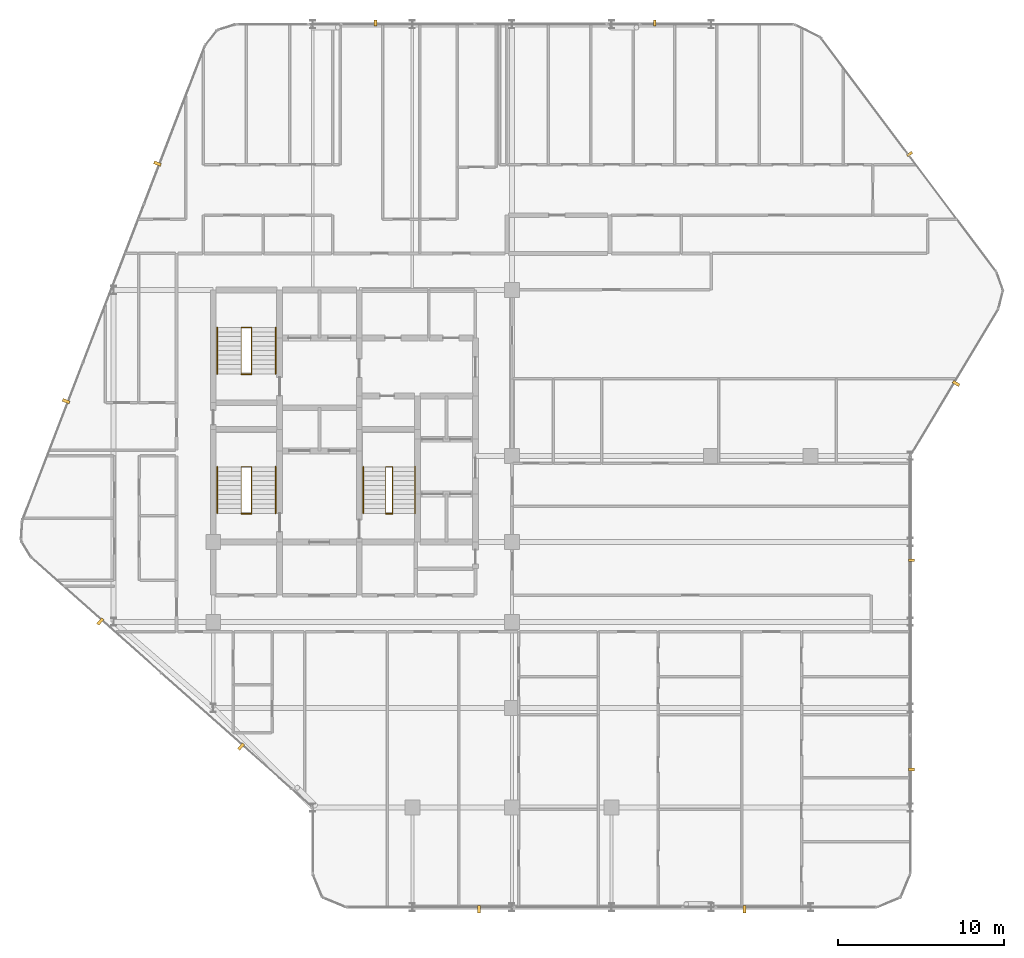
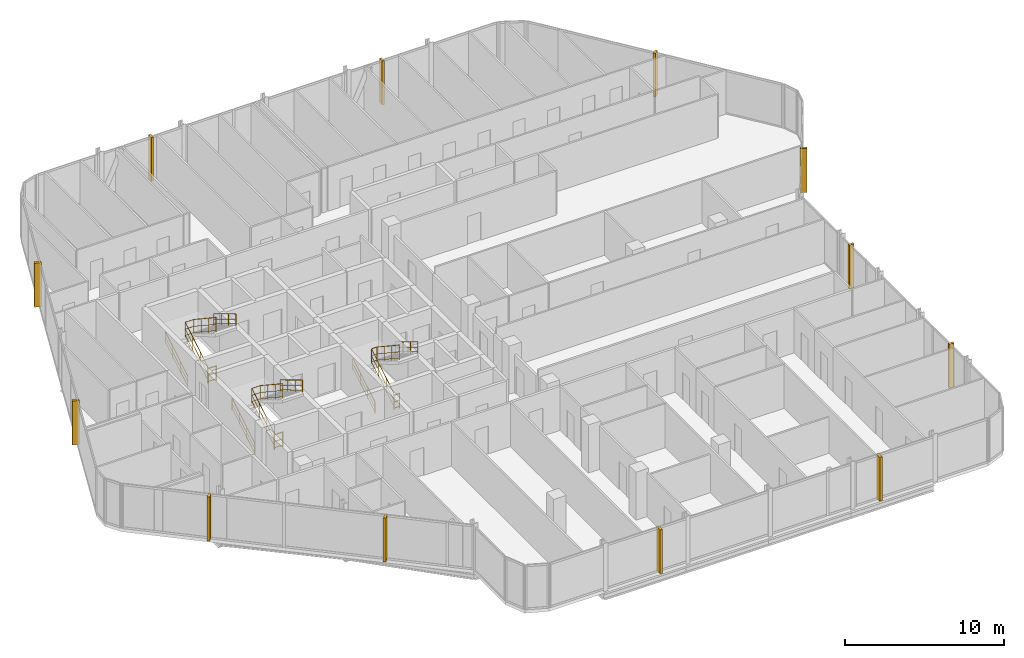
# One storey, part 31 of 31: 12 coverings, 12 railings.
"""IFC4 building model written with IfcOpenShell, lengths in metres."""

from ifc_helpers import new_model, si_unit, direction, frame, origin, origin_2d, place, context, subcontext, project, spatial, rectangle, circle, extrude, material, layer, layer_set, type_object, element, save


model = new_model("IFC4")

# Units and contexts
model_context = context("Model", 3, precision=1e-05, world=origin(), true_north=direction((0.0, 1.0)))
body_context = subcontext(model_context, "Body", "Model", "MODEL_VIEW")
ifc_project = project(units=[si_unit("LENGTHUNIT", "METRE"), si_unit("AREAUNIT", "SQUARE_METRE"), si_unit("VOLUMEUNIT", "CUBIC_METRE"), si_unit("PLANEANGLEUNIT", "RADIAN"), si_unit("MASSUNIT", "GRAM", prefix="KILO")], contexts=[model_context])

# Site, building, storey
site_placement = place(None, origin())
site = spatial("IfcSite", under=ifc_project, at=site_placement, CompositionType="ELEMENT")
building_placement = place(site_placement, origin())
building = spatial("IfcBuilding", under=site, at=building_placement, Name="Keshet Zoharim Tower", CompositionType="ELEMENT")
storey_placement = place(building_placement, frame((0.0, 0.0, 148.300048828125)))
storey = spatial("IfcBuildingStorey", under=building, at=storey_placement, Name="L36", CompositionType="ELEMENT", Elevation=148.300048828125)

# Coverings
ifc_material_1 = material(Name="Concrete C50/60 precast", Category="concrete")
covering_type_1 = type_object("IfcCoveringType", Name="FIN-SOL-360", PredefinedType="CLADDING", material=ifc_material_1)
for number, where, z_axis, x_axis, name in (
    (1, (24.780029296875, 53.97998046875, 0.0), (0.0, 0.0, 1.0), (1.0, 0.0, 0.0), "L36 Vertical Precast Solar Fin 07"),
    (2, (41.593994140625, 53.97998046875, 0.0), (0.0, 0.0, 1.0), (1.0, 0.0, 0.0), "L36 Vertical Precast Solar Fin 08"),
    (3, (56.9609375, 46.0859375, 0.0), (0.0, 0.0, 1.0), (0.600000000002, -0.799999999998, 0.0), "L36 Vertical Precast Solar Fin 09"),
    (4, (57.080078125, 21.60009765625, 0.0), (0.0, 0.0, 1.0), (0.0, -1.0, 0.0), "L36 Vertical Precast Solar Fin 11"),
    (5, (57.080078125, 9.0, 0.0), (0.0, 0.0, 1.0), (0.0, -1.0, 0.0), "L36 Vertical Precast Solar Fin 12"),
):
    element("IfcCovering", number, at=place(storey_placement, frame(where, z_axis=z_axis, x_axis=x_axis)), inside=storey, type_object=covering_type_1, Name=name, PredefinedType="CLADDING", context=body_context, shape_type="SweptSolid", body=[
        extrude(rectangle(XDim=0.159912109375, YDim=0.360107421875, at=origin_2d()), origin(), (0.0, 0.0, 1.0), 3.385009765625),
    ])
covering_type_2 = type_object("IfcCoveringType", Name="FIN-SOL-450", PredefinedType="CLADDING", material=ifc_material_1)
for number, where, z_axis, x_axis, name in (
    (6, (47.0, 0.574951171875, 0.0), (0.0, 0.0, 1.0), (-1.0, 0.0, 0.0), "L36 Vertical Precast Solar Fin 01"),
    (7, (31.0, 0.574951171875, 0.0), (0.0, 0.0, 1.0), (-1.0, 0.0, 0.0), "L36 Vertical Precast Solar Fin 02"),
    (8, (16.676025390625, 10.376953125, 0.0), (0.0, 0.0, 1.0), (-0.747409318679, 0.664363838836, 0.0), "L36 Vertical Precast Solar Fin 03"),
    (9, (8.193115234375, 17.9169921875, 0.0), (0.0, 0.0, 1.0), (-0.747409318679, 0.664363838836, 0.0), "L36 Vertical Precast Solar Fin 04"),
    (10, (6.133056640625, 31.194091796875, 0.0), (0.0, 0.0, 1.0), (0.358990003907, 0.933341404361, 0.0), "L36 Vertical Precast Solar Fin 05"),
    (11, (11.637939453125, 45.507080078125, 0.0), (0.0, 0.0, 1.0), (0.358990003907, 0.933341404361, 0.0), "L36 Vertical Precast Solar Fin 06"),
    (12, (59.760986328125, 32.259033203125, 0.0), (0.0, 0.0, 1.0), (-0.514481501576, -0.857501477862, 0.0), "L36 Vertical Precast Solar Fin 10"),
):
    element("IfcCovering", number, at=place(storey_placement, frame(where, z_axis=z_axis, x_axis=x_axis)), inside=storey, type_object=covering_type_2, Name=name, PredefinedType="CLADDING", context=body_context, shape_type="SweptSolid", body=[
        extrude(rectangle(XDim=0.179931640625, YDim=0.449951171875, at=origin_2d()), origin(), (0.0, 0.0, 1.0), 3.385009765625),
    ])

# Railings
ifc_material_2 = material(Name="Steel S355", Category="steel")
ifc_layer_1 = layer(ifc_material_2, 0.050048828125)
ifc_layer_set_1 = layer_set([ifc_layer_1], Name="Steel S355")
railing_type_1 = type_object("IfcRailingType", Name="RL-HND-092", PredefinedType="HANDRAIL", material=ifc_layer_set_1)
railing_1_placement = place(storey_placement, frame((15.239990234375, 24.43994140625, 0.168212890625)))
element("IfcRailing", 13, at=railing_1_placement, inside=storey, type_object=railing_type_1, Name="L36 ST-01 Flight 1 Wall Handrail", PredefinedType="HANDRAIL", context=body_context, shape_type="SweptSolid", body=[
    extrude(circle(Radius=0.02392578125, at=origin_2d()), frame((0.0, 0.0, 0.89599609375), z_axis=(0.0, 0.857275202839, 0.514858452973), x_axis=(-1.0, 0.0, 0.0)), (0.0, 0.0, 1.0), 3.26611328125),
    extrude(circle(Radius=0.01611328125, at=origin_2d()), frame((0.0, 0.0, 0.478271484375), z_axis=(0.0, 0.857275202839, 0.514858452973), x_axis=(-1.0, 0.0, 0.0)), (0.0, 0.0, 1.0), 3.26611328125),
    extrude(circle(Radius=0.01611328125, at=origin_2d()), frame((0.0, 0.0, 0.1201171875), z_axis=(0.0, 0.857275202839, 0.514858452973), x_axis=(-1.0, 0.0, 0.0)), (0.0, 0.0, 1.0), 3.26611328125),
    extrude(circle(Radius=0.02099609375, at=origin_2d()), origin(), (0.0, 0.0, 1.0), 0.871826171875),
    extrude(circle(Radius=0.02099609375, at=origin_2d()), frame((0.0, 0.933349609375, 0.560546875)), (0.0, 0.0, 1.0), 0.871826171875),
    extrude(circle(Radius=0.02099609375, at=origin_2d()), frame((0.0, 1.86669921875, 1.12109375)), (0.0, 0.0, 1.0), 0.871826171875),
    extrude(circle(Radius=0.02099609375, at=origin_2d()), frame((0.0, 2.800048828125, 1.681640625)), (0.0, 0.0, 1.0), 0.871826171875),
])
railing_2_placement = place(storey_placement, frame((18.760009765625, 27.239990234375, 2.01806640625)))
element("IfcRailing", 14, at=railing_2_placement, inside=storey, type_object=railing_type_1, Name="L36 ST-01 Flight 2 Wall Handrail", PredefinedType="HANDRAIL", context=body_context, shape_type="SweptSolid", body=[
    extrude(circle(Radius=0.02392578125, at=origin_2d()), frame((0.0, 0.0, 0.89599609375), z_axis=(0.0, -0.857242210791, 0.514913383045), x_axis=(1.0, 0.0, 0.0)), (0.0, 0.0, 1.0), 3.266357421875),
    extrude(circle(Radius=0.01611328125, at=origin_2d()), frame((0.0, 0.0, 0.478271484375), z_axis=(0.0, -0.857242210791, 0.514913383045), x_axis=(1.0, 0.0, 0.0)), (0.0, 0.0, 1.0), 3.266357421875),
    extrude(circle(Radius=0.01611328125, at=origin_2d()), frame((0.0, 0.0, 0.1201171875), z_axis=(0.0, -0.857242210791, 0.514913383045), x_axis=(1.0, 0.0, 0.0)), (0.0, 0.0, 1.0), 3.266357421875),
    extrude(circle(Radius=0.02099609375, at=origin_2d()), origin(), (0.0, 0.0, 1.0), 0.871826171875),
    extrude(circle(Radius=0.02099609375, at=origin_2d()), frame((0.0, -0.933349609375, 0.560546875)), (0.0, 0.0, 1.0), 0.871826171875),
    extrude(circle(Radius=0.02099609375, at=origin_2d()), frame((0.0, -1.86669921875, 1.121337890625)), (0.0, 0.0, 1.0), 0.871826171875),
    extrude(circle(Radius=0.02099609375, at=origin_2d()), frame((0.0, -2.800048828125, 1.681884765625)), (0.0, 0.0, 1.0), 0.871826171875),
])
railing_3_placement = place(storey_placement, frame((15.239990234375, 32.840087890625, 0.168212890625)))
element("IfcRailing", 15, at=railing_3_placement, inside=storey, type_object=railing_type_1, Name="L36 ST-02 Flight 1 Wall Handrail", PredefinedType="HANDRAIL", context=body_context, shape_type="SweptSolid", body=[
    extrude(circle(Radius=0.02392578125, at=origin_2d()), frame((0.0, 0.0, 0.89599609375), z_axis=(0.0, 0.857255387014, 0.514891446264), x_axis=(-1.0, 0.0, 0.0)), (0.0, 0.0, 1.0), 3.26611328125),
    extrude(circle(Radius=0.01611328125, at=origin_2d()), frame((0.0, 0.0, 0.478271484375), z_axis=(0.0, 0.857255387014, 0.514891446264), x_axis=(-1.0, 0.0, 0.0)), (0.0, 0.0, 1.0), 3.26611328125),
    extrude(circle(Radius=0.01611328125, at=origin_2d()), frame((0.0, 0.0, 0.1201171875), z_axis=(0.0, 0.857255387014, 0.514891446264), x_axis=(-1.0, 0.0, 0.0)), (0.0, 0.0, 1.0), 3.26611328125),
    extrude(circle(Radius=0.02099609375, at=origin_2d()), origin(), (0.0, 0.0, 1.0), 0.871826171875),
    extrude(circle(Radius=0.02099609375, at=origin_2d()), frame((0.0, 0.933349609375, 0.560546875)), (0.0, 0.0, 1.0), 0.871826171875),
    extrude(circle(Radius=0.02099609375, at=origin_2d()), frame((0.0, 1.866455078125, 1.12109375)), (0.0, 0.0, 1.0), 0.871826171875),
    extrude(circle(Radius=0.02099609375, at=origin_2d()), frame((0.0, 2.7998046875, 1.681640625)), (0.0, 0.0, 1.0), 0.871826171875),
])
railing_4_placement = place(storey_placement, frame((18.760009765625, 35.639892578125, 2.01806640625)))
element("IfcRailing", 16, at=railing_4_placement, inside=storey, type_object=railing_type_1, Name="L36 ST-02 Flight 2 Wall Handrail", PredefinedType="HANDRAIL", context=body_context, shape_type="SweptSolid", body=[
    extrude(circle(Radius=0.02392578125, at=origin_2d()), frame((0.0, 0.0, 0.89599609375), z_axis=(0.0, -0.857222391501, 0.514946377315), x_axis=(1.0, 0.0, 0.0)), (0.0, 0.0, 1.0), 3.26611328125),
    extrude(circle(Radius=0.01611328125, at=origin_2d()), frame((0.0, 0.0, 0.478271484375), z_axis=(0.0, -0.857222391501, 0.514946377315), x_axis=(1.0, 0.0, 0.0)), (0.0, 0.0, 1.0), 3.26611328125),
    extrude(circle(Radius=0.01611328125, at=origin_2d()), frame((0.0, 0.0, 0.1201171875), z_axis=(0.0, -0.857222391501, 0.514946377315), x_axis=(1.0, 0.0, 0.0)), (0.0, 0.0, 1.0), 3.26611328125),
    extrude(circle(Radius=0.02099609375, at=origin_2d()), origin(), (0.0, 0.0, 1.0), 0.871826171875),
    extrude(circle(Radius=0.02099609375, at=origin_2d()), frame((0.0, -0.933349609375, 0.560546875)), (0.0, 0.0, 1.0), 0.871826171875),
    extrude(circle(Radius=0.02099609375, at=origin_2d()), frame((0.0, -1.866455078125, 1.121337890625)), (0.0, 0.0, 1.0), 0.871826171875),
    extrude(circle(Radius=0.02099609375, at=origin_2d()), frame((0.0, -2.7998046875, 1.681884765625)), (0.0, 0.0, 1.0), 0.871826171875),
])
railing_5_placement = place(storey_placement, frame((24.0400390625, 24.43994140625, 0.168212890625)))
element("IfcRailing", 17, at=railing_5_placement, inside=storey, type_object=railing_type_1, Name="L36 ST-03 Flight 1 Wall Handrail", PredefinedType="HANDRAIL", context=body_context, shape_type="SweptSolid", body=[
    extrude(circle(Radius=0.02392578125, at=origin_2d()), frame((0.0, 0.0, 0.89599609375), z_axis=(0.0, 0.857275202839, 0.514858452973), x_axis=(-1.0, 0.0, 0.0)), (0.0, 0.0, 1.0), 3.26611328125),
    extrude(circle(Radius=0.01611328125, at=origin_2d()), frame((0.0, 0.0, 0.478271484375), z_axis=(0.0, 0.857275202839, 0.514858452973), x_axis=(-1.0, 0.0, 0.0)), (0.0, 0.0, 1.0), 3.26611328125),
    extrude(circle(Radius=0.01611328125, at=origin_2d()), frame((0.0, 0.0, 0.1201171875), z_axis=(0.0, 0.857275202839, 0.514858452973), x_axis=(-1.0, 0.0, 0.0)), (0.0, 0.0, 1.0), 3.26611328125),
    extrude(circle(Radius=0.02099609375, at=origin_2d()), origin(), (0.0, 0.0, 1.0), 0.871826171875),
    extrude(circle(Radius=0.02099609375, at=origin_2d()), frame((0.0, 0.933349609375, 0.560546875)), (0.0, 0.0, 1.0), 0.871826171875),
    extrude(circle(Radius=0.02099609375, at=origin_2d()), frame((0.0, 1.86669921875, 1.12109375)), (0.0, 0.0, 1.0), 0.871826171875),
    extrude(circle(Radius=0.02099609375, at=origin_2d()), frame((0.0, 2.800048828125, 1.681640625)), (0.0, 0.0, 1.0), 0.871826171875),
])
railing_6_placement = place(storey_placement, frame((27.159912109375, 27.239990234375, 2.01806640625)))
element("IfcRailing", 18, at=railing_6_placement, inside=storey, type_object=railing_type_1, Name="L36 ST-03 Flight 2 Wall Handrail", PredefinedType="HANDRAIL", context=body_context, shape_type="SweptSolid", body=[
    extrude(circle(Radius=0.02392578125, at=origin_2d()), frame((0.0, 0.0, 0.89599609375), z_axis=(0.0, -0.857242210791, 0.514913383045), x_axis=(1.0, 0.0, 0.0)), (0.0, 0.0, 1.0), 3.266357421875),
    extrude(circle(Radius=0.01611328125, at=origin_2d()), frame((0.0, 0.0, 0.478271484375), z_axis=(0.0, -0.857242210791, 0.514913383045), x_axis=(1.0, 0.0, 0.0)), (0.0, 0.0, 1.0), 3.266357421875),
    extrude(circle(Radius=0.01611328125, at=origin_2d()), frame((0.0, 0.0, 0.1201171875), z_axis=(0.0, -0.857242210791, 0.514913383045), x_axis=(1.0, 0.0, 0.0)), (0.0, 0.0, 1.0), 3.266357421875),
    extrude(circle(Radius=0.02099609375, at=origin_2d()), origin(), (0.0, 0.0, 1.0), 0.871826171875),
    extrude(circle(Radius=0.02099609375, at=origin_2d()), frame((0.0, -0.933349609375, 0.560546875)), (0.0, 0.0, 1.0), 0.871826171875),
    extrude(circle(Radius=0.02099609375, at=origin_2d()), frame((0.0, -1.86669921875, 1.121337890625)), (0.0, 0.0, 1.0), 0.871826171875),
    extrude(circle(Radius=0.02099609375, at=origin_2d()), frame((0.0, -2.800048828125, 1.681884765625)), (0.0, 0.0, 1.0), 0.871826171875),
])
ifc_layer_2 = layer(ifc_material_2, 0.06005859375)
ifc_layer_set_2 = layer_set([ifc_layer_2], Name="Steel S355")
railing_type_2 = type_object("IfcRailingType", Name="RL-STG-115", PredefinedType="GUARDRAIL", material=ifc_layer_set_2)
railing_7_placement = place(storey_placement, frame((16.68994140625, 24.43994140625, 0.168212890625)))
element("IfcRailing", 19, at=railing_7_placement, inside=storey, type_object=railing_type_2, Name="L36 ST-01 Inner Well Guardrail", PredefinedType="GUARDRAIL", context=body_context, shape_type="SweptSolid", body=[
    extrude(circle(Radius=0.02392578125, at=origin_2d()), frame((0.0, 0.0, 1.1259765625), z_axis=(0.0, 0.857275202839, 0.514858452973), x_axis=(-1.0, 0.0, 0.0)), (0.0, 0.0, 1.0), 3.26611328125),
    extrude(circle(Radius=0.01611328125, at=origin_2d()), frame((0.0, 0.0, 0.597900390625), z_axis=(0.0, 0.857275202839, 0.514858452973), x_axis=(-1.0, 0.0, 0.0)), (0.0, 0.0, 1.0), 3.26611328125),
    extrude(circle(Radius=0.01611328125, at=origin_2d()), frame((0.0, 0.0, 0.1201171875), z_axis=(0.0, 0.857275202839, 0.514858452973), x_axis=(-1.0, 0.0, 0.0)), (0.0, 0.0, 1.0), 3.26611328125),
    extrude(circle(Radius=0.02392578125, at=origin_2d()), frame((0.0, 2.800048828125, 2.8076171875), z_axis=(1.0, 0.0, 0.0), x_axis=(0.0, 1.0, 0.0)), (0.0, 0.0, 1.0), 0.6201171875),
    extrude(circle(Radius=0.01611328125, at=origin_2d()), frame((0.0, 2.800048828125, 2.279541015625), z_axis=(1.0, 0.0, 0.0), x_axis=(0.0, 1.0, 0.0)), (0.0, 0.0, 1.0), 0.6201171875),
    extrude(circle(Radius=0.01611328125, at=origin_2d()), frame((0.0, 2.800048828125, 1.8017578125), z_axis=(1.0, 0.0, 0.0), x_axis=(0.0, 1.0, 0.0)), (0.0, 0.0, 1.0), 0.6201171875),
    extrude(circle(Radius=0.02392578125, at=origin_2d()), frame((0.6201171875, 2.800048828125, 2.8076171875), z_axis=(0.0, -0.834326358476, 0.551270829586), x_axis=(1.0, 0.0, 0.0)), (0.0, 0.0, 1.0), 3.35595703125),
    extrude(circle(Radius=0.01611328125, at=origin_2d()), frame((0.6201171875, 2.800048828125, 2.279541015625), z_axis=(0.0, -0.834326358476, 0.551270829586), x_axis=(1.0, 0.0, 0.0)), (0.0, 0.0, 1.0), 3.35595703125),
    extrude(circle(Radius=0.01611328125, at=origin_2d()), frame((0.6201171875, 2.800048828125, 1.8017578125), z_axis=(0.0, -0.834326358476, 0.551270829586), x_axis=(1.0, 0.0, 0.0)), (0.0, 0.0, 1.0), 3.35595703125),
    extrude(circle(Radius=0.02099609375, at=origin_2d()), origin(), (0.0, 0.0, 1.0), 1.101806640625),
    extrude(circle(Radius=0.02099609375, at=origin_2d()), frame((0.0, 0.933349609375, 0.560546875)), (0.0, 0.0, 1.0), 1.101806640625),
    extrude(circle(Radius=0.02099609375, at=origin_2d()), frame((0.0, 1.86669921875, 1.12109375)), (0.0, 0.0, 1.0), 1.101806640625),
    extrude(circle(Radius=0.02099609375, at=origin_2d()), frame((0.0, 2.800048828125, 1.681640625)), (0.0, 0.0, 1.0), 1.101806640625),
    extrude(circle(Radius=0.02099609375, at=origin_2d()), frame((0.6201171875, 2.800048828125, 1.681640625)), (0.0, 0.0, 1.0), 1.101806640625),
    extrude(circle(Radius=0.02099609375, at=origin_2d()), frame((0.6201171875, 1.86669921875, 2.29833984375)), (0.0, 0.0, 1.0), 1.101806640625),
    extrude(circle(Radius=0.02099609375, at=origin_2d()), frame((0.6201171875, 0.933349609375, 2.9150390625)), (0.0, 0.0, 1.0), 1.101806640625),
    extrude(circle(Radius=0.02099609375, at=origin_2d()), frame((0.6201171875, 0.0, 3.53173828125)), (0.0, 0.0, 1.0), 1.101806640625),
])
railing_8_placement = place(storey_placement, frame((16.68994140625, 24.409912109375, 0.0)))
element("IfcRailing", 20, at=railing_8_placement, inside=storey, type_object=railing_type_2, Name="L36 ST-01 Stairwell Floor Guardrail", PredefinedType="GUARDRAIL", context=body_context, shape_type="SweptSolid", body=[
    extrude(circle(Radius=0.02392578125, at=origin_2d()), frame((0.0, 0.0, 1.1259765625), z_axis=(1.0, 0.0, 0.0), x_axis=(0.0, 1.0, 0.0)), (0.0, 0.0, 1.0), 0.6201171875),
    extrude(circle(Radius=0.01611328125, at=origin_2d()), frame((0.0, 0.0, 0.597900390625), z_axis=(1.0, 0.0, 0.0), x_axis=(0.0, 1.0, 0.0)), (0.0, 0.0, 1.0), 0.6201171875),
    extrude(circle(Radius=0.01611328125, at=origin_2d()), frame((0.0, 0.0, 0.1201171875), z_axis=(1.0, 0.0, 0.0), x_axis=(0.0, 1.0, 0.0)), (0.0, 0.0, 1.0), 0.6201171875),
    extrude(circle(Radius=0.02099609375, at=origin_2d()), origin(), (0.0, 0.0, 1.0), 1.101806640625),
    extrude(circle(Radius=0.02099609375, at=origin_2d()), frame((0.6201171875, 0.0, 0.0)), (0.0, 0.0, 1.0), 1.101806640625),
])
railing_9_placement = place(storey_placement, frame((16.68994140625, 32.840087890625, 0.168212890625)))
element("IfcRailing", 21, at=railing_9_placement, inside=storey, type_object=railing_type_2, Name="L36 ST-02 Inner Well Guardrail", PredefinedType="GUARDRAIL", context=body_context, shape_type="SweptSolid", body=[
    extrude(circle(Radius=0.02392578125, at=origin_2d()), frame((0.0, 0.0, 1.1259765625), z_axis=(0.0, 0.857255387014, 0.514891446264), x_axis=(-1.0, 0.0, 0.0)), (0.0, 0.0, 1.0), 3.26611328125),
    extrude(circle(Radius=0.01611328125, at=origin_2d()), frame((0.0, 0.0, 0.597900390625), z_axis=(0.0, 0.857255387014, 0.514891446264), x_axis=(-1.0, 0.0, 0.0)), (0.0, 0.0, 1.0), 3.26611328125),
    extrude(circle(Radius=0.01611328125, at=origin_2d()), frame((0.0, 0.0, 0.1201171875), z_axis=(0.0, 0.857255387014, 0.514891446264), x_axis=(-1.0, 0.0, 0.0)), (0.0, 0.0, 1.0), 3.26611328125),
    extrude(circle(Radius=0.02392578125, at=origin_2d()), frame((0.0, 2.7998046875, 2.8076171875), z_axis=(1.0, 0.0, 0.0), x_axis=(0.0, 1.0, 0.0)), (0.0, 0.0, 1.0), 0.6201171875),
    extrude(circle(Radius=0.01611328125, at=origin_2d()), frame((0.0, 2.7998046875, 2.279541015625), z_axis=(1.0, 0.0, 0.0), x_axis=(0.0, 1.0, 0.0)), (0.0, 0.0, 1.0), 0.6201171875),
    extrude(circle(Radius=0.01611328125, at=origin_2d()), frame((0.0, 2.7998046875, 1.8017578125), z_axis=(1.0, 0.0, 0.0), x_axis=(0.0, 1.0, 0.0)), (0.0, 0.0, 1.0), 0.6201171875),
    extrude(circle(Radius=0.02392578125, at=origin_2d()), frame((0.6201171875, 2.7998046875, 2.8076171875), z_axis=(0.0, -0.834304248922, 0.551304290053), x_axis=(1.0, 0.0, 0.0)), (0.0, 0.0, 1.0), 3.35595703125),
    extrude(circle(Radius=0.01611328125, at=origin_2d()), frame((0.6201171875, 2.7998046875, 2.279541015625), z_axis=(0.0, -0.834304248922, 0.551304290053), x_axis=(1.0, 0.0, 0.0)), (0.0, 0.0, 1.0), 3.35595703125),
    extrude(circle(Radius=0.01611328125, at=origin_2d()), frame((0.6201171875, 2.7998046875, 1.8017578125), z_axis=(0.0, -0.834304248922, 0.551304290053), x_axis=(1.0, 0.0, 0.0)), (0.0, 0.0, 1.0), 3.35595703125),
    extrude(circle(Radius=0.02099609375, at=origin_2d()), origin(), (0.0, 0.0, 1.0), 1.101806640625),
    extrude(circle(Radius=0.02099609375, at=origin_2d()), frame((0.0, 0.933349609375, 0.560546875)), (0.0, 0.0, 1.0), 1.101806640625),
    extrude(circle(Radius=0.02099609375, at=origin_2d()), frame((0.0, 1.866455078125, 1.12109375)), (0.0, 0.0, 1.0), 1.101806640625),
    extrude(circle(Radius=0.02099609375, at=origin_2d()), frame((0.0, 2.7998046875, 1.681640625)), (0.0, 0.0, 1.0), 1.101806640625),
    extrude(circle(Radius=0.02099609375, at=origin_2d()), frame((0.6201171875, 2.7998046875, 1.681640625)), (0.0, 0.0, 1.0), 1.101806640625),
    extrude(circle(Radius=0.02099609375, at=origin_2d()), frame((0.6201171875, 1.866455078125, 2.29833984375)), (0.0, 0.0, 1.0), 1.101806640625),
    extrude(circle(Radius=0.02099609375, at=origin_2d()), frame((0.6201171875, 0.933349609375, 2.9150390625)), (0.0, 0.0, 1.0), 1.101806640625),
    extrude(circle(Radius=0.02099609375, at=origin_2d()), frame((0.6201171875, 0.0, 3.53173828125)), (0.0, 0.0, 1.0), 1.101806640625),
])
railing_10_placement = place(storey_placement, frame((16.68994140625, 32.81005859375, 0.0)))
element("IfcRailing", 22, at=railing_10_placement, inside=storey, type_object=railing_type_2, Name="L36 ST-02 Stairwell Floor Guardrail", PredefinedType="GUARDRAIL", context=body_context, shape_type="SweptSolid", body=[
    extrude(circle(Radius=0.02392578125, at=origin_2d()), frame((0.0, 0.0, 1.1259765625), z_axis=(1.0, 0.0, 0.0), x_axis=(0.0, 1.0, 0.0)), (0.0, 0.0, 1.0), 0.6201171875),
    extrude(circle(Radius=0.01611328125, at=origin_2d()), frame((0.0, 0.0, 0.597900390625), z_axis=(1.0, 0.0, 0.0), x_axis=(0.0, 1.0, 0.0)), (0.0, 0.0, 1.0), 0.6201171875),
    extrude(circle(Radius=0.01611328125, at=origin_2d()), frame((0.0, 0.0, 0.1201171875), z_axis=(1.0, 0.0, 0.0), x_axis=(0.0, 1.0, 0.0)), (0.0, 0.0, 1.0), 0.6201171875),
    extrude(circle(Radius=0.02099609375, at=origin_2d()), origin(), (0.0, 0.0, 1.0), 1.101806640625),
    extrude(circle(Radius=0.02099609375, at=origin_2d()), frame((0.6201171875, 0.0, 0.0)), (0.0, 0.0, 1.0), 1.101806640625),
])
railing_11_placement = place(storey_placement, frame((25.39990234375, 24.43994140625, 0.168212890625)))
element("IfcRailing", 23, at=railing_11_placement, inside=storey, type_object=railing_type_2, Name="L36 ST-03 Inner Well Guardrail", PredefinedType="GUARDRAIL", context=body_context, shape_type="SweptSolid", body=[
    extrude(circle(Radius=0.02392578125, at=origin_2d()), frame((0.0, 0.0, 1.1259765625), z_axis=(0.0, 0.857275202839, 0.514858452973), x_axis=(-1.0, 0.0, 0.0)), (0.0, 0.0, 1.0), 3.26611328125),
    extrude(circle(Radius=0.01611328125, at=origin_2d()), frame((0.0, 0.0, 0.597900390625), z_axis=(0.0, 0.857275202839, 0.514858452973), x_axis=(-1.0, 0.0, 0.0)), (0.0, 0.0, 1.0), 3.26611328125),
    extrude(circle(Radius=0.01611328125, at=origin_2d()), frame((0.0, 0.0, 0.1201171875), z_axis=(0.0, 0.857275202839, 0.514858452973), x_axis=(-1.0, 0.0, 0.0)), (0.0, 0.0, 1.0), 3.26611328125),
    extrude(circle(Radius=0.02392578125, at=origin_2d()), frame((0.0, 2.800048828125, 2.8076171875), z_axis=(1.0, 0.0, 0.0), x_axis=(0.0, 1.0, 0.0)), (0.0, 0.0, 1.0), 0.400146484375),
    extrude(circle(Radius=0.01611328125, at=origin_2d()), frame((0.0, 2.800048828125, 2.279541015625), z_axis=(1.0, 0.0, 0.0), x_axis=(0.0, 1.0, 0.0)), (0.0, 0.0, 1.0), 0.400146484375),
    extrude(circle(Radius=0.01611328125, at=origin_2d()), frame((0.0, 2.800048828125, 1.8017578125), z_axis=(1.0, 0.0, 0.0), x_axis=(0.0, 1.0, 0.0)), (0.0, 0.0, 1.0), 0.400146484375),
    extrude(circle(Radius=0.02392578125, at=origin_2d()), frame((0.400146484375, 2.800048828125, 2.8076171875), z_axis=(0.0, -0.834326358476, 0.551270829586), x_axis=(1.0, 0.0, 0.0)), (0.0, 0.0, 1.0), 3.35595703125),
    extrude(circle(Radius=0.01611328125, at=origin_2d()), frame((0.400146484375, 2.800048828125, 2.279541015625), z_axis=(0.0, -0.834326358476, 0.551270829586), x_axis=(1.0, 0.0, 0.0)), (0.0, 0.0, 1.0), 3.35595703125),
    extrude(circle(Radius=0.01611328125, at=origin_2d()), frame((0.400146484375, 2.800048828125, 1.8017578125), z_axis=(0.0, -0.834326358476, 0.551270829586), x_axis=(1.0, 0.0, 0.0)), (0.0, 0.0, 1.0), 3.35595703125),
    extrude(circle(Radius=0.02099609375, at=origin_2d()), origin(), (0.0, 0.0, 1.0), 1.101806640625),
    extrude(circle(Radius=0.02099609375, at=origin_2d()), frame((0.0, 0.933349609375, 0.560546875)), (0.0, 0.0, 1.0), 1.101806640625),
    extrude(circle(Radius=0.02099609375, at=origin_2d()), frame((0.0, 1.86669921875, 1.12109375)), (0.0, 0.0, 1.0), 1.101806640625),
    extrude(circle(Radius=0.02099609375, at=origin_2d()), frame((0.0, 2.800048828125, 1.681640625)), (0.0, 0.0, 1.0), 1.101806640625),
    extrude(circle(Radius=0.02099609375, at=origin_2d()), frame((0.400146484375, 2.800048828125, 1.681640625)), (0.0, 0.0, 1.0), 1.101806640625),
    extrude(circle(Radius=0.02099609375, at=origin_2d()), frame((0.400146484375, 1.86669921875, 2.29833984375)), (0.0, 0.0, 1.0), 1.101806640625),
    extrude(circle(Radius=0.02099609375, at=origin_2d()), frame((0.400146484375, 0.933349609375, 2.9150390625)), (0.0, 0.0, 1.0), 1.101806640625),
    extrude(circle(Radius=0.02099609375, at=origin_2d()), frame((0.400146484375, 0.0, 3.53173828125)), (0.0, 0.0, 1.0), 1.101806640625),
])
railing_12_placement = place(storey_placement, frame((25.39990234375, 24.409912109375, 0.0)))
element("IfcRailing", 24, at=railing_12_placement, inside=storey, type_object=railing_type_2, Name="L36 ST-03 Stairwell Floor Guardrail", PredefinedType="GUARDRAIL", context=body_context, shape_type="SweptSolid", body=[
    extrude(circle(Radius=0.02392578125, at=origin_2d()), frame((0.0, 0.0, 1.1259765625), z_axis=(1.0, 0.0, 0.0), x_axis=(0.0, 1.0, 0.0)), (0.0, 0.0, 1.0), 0.400146484375),
    extrude(circle(Radius=0.01611328125, at=origin_2d()), frame((0.0, 0.0, 0.597900390625), z_axis=(1.0, 0.0, 0.0), x_axis=(0.0, 1.0, 0.0)), (0.0, 0.0, 1.0), 0.400146484375),
    extrude(circle(Radius=0.01611328125, at=origin_2d()), frame((0.0, 0.0, 0.1201171875), z_axis=(1.0, 0.0, 0.0), x_axis=(0.0, 1.0, 0.0)), (0.0, 0.0, 1.0), 0.400146484375),
    extrude(circle(Radius=0.02099609375, at=origin_2d()), origin(), (0.0, 0.0, 1.0), 1.101806640625),
    extrude(circle(Radius=0.02099609375, at=origin_2d()), frame((0.400146484375, 0.0, 0.0)), (0.0, 0.0, 1.0), 1.101806640625),
])

save(model, "model.ifc")
